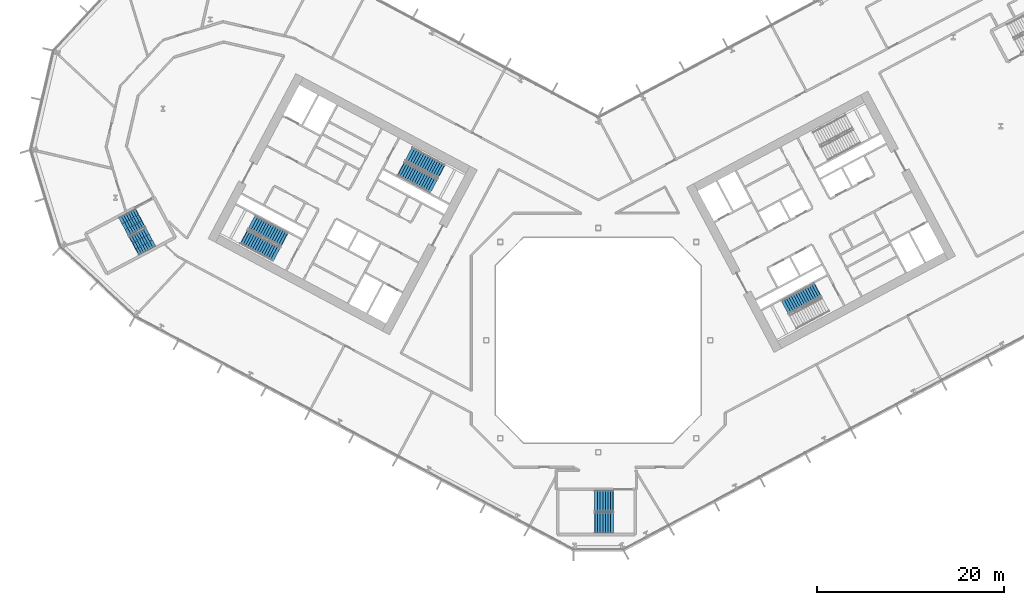
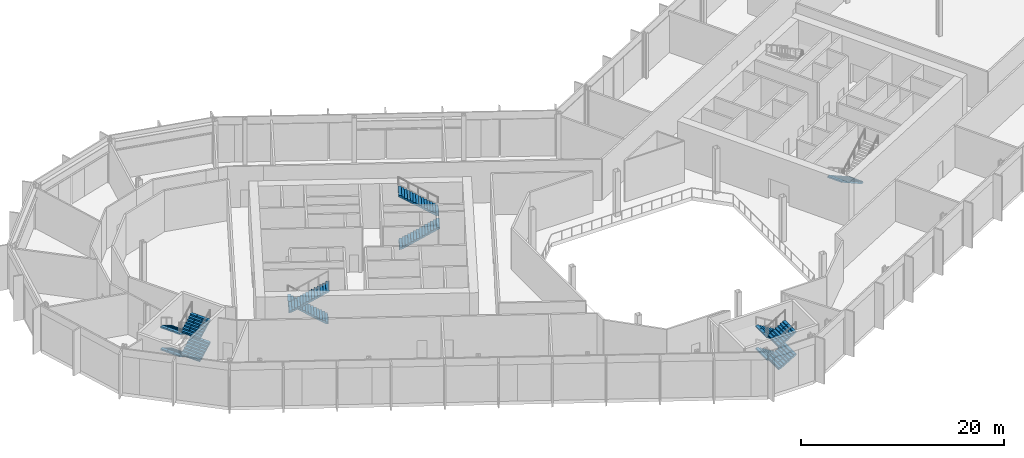
# One storey, part 18 of 32: 13 stair flights, 5 elements without a shape of their own.
"""IFC4 building model written with IfcOpenShell, lengths in metres."""

from ifc_helpers import new_model, si_unit, direction, frame, origin, place, context, subcontext, project, spatial, polyline, outline, extrude, material, type_object, element, aggregate, save


model = new_model("IFC4")

# Units and contexts
model_context = context("Model", 3, precision=1e-05, world=origin(), true_north=direction((0.0, 1.0)))
body_context = subcontext(model_context, "Body", "Model", "MODEL_VIEW")
ifc_project = project(units=[si_unit("LENGTHUNIT", "METRE"), si_unit("AREAUNIT", "SQUARE_METRE"), si_unit("VOLUMEUNIT", "CUBIC_METRE"), si_unit("PLANEANGLEUNIT", "RADIAN"), si_unit("MASSUNIT", "GRAM", prefix="KILO")], contexts=[model_context])

# Site, building, storey
site_placement = place(None, origin())
site = spatial("IfcSite", under=ifc_project, at=site_placement, CompositionType="ELEMENT")
building_placement = place(site_placement, origin())
building = spatial("IfcBuilding", under=site, at=building_placement, Name="Cormorant Relay Tower", CompositionType="ELEMENT")
storey_placement = place(building_placement, frame((0.0, 0.0, 17.60009765625)))
storey = spatial("IfcBuildingStorey", under=building, at=storey_placement, Name="L03", CompositionType="ELEMENT", Elevation=17.60009765625)

# Stair, stair flights
ifc_material_1 = material(Name="Concrete 40 MPa", Category="concrete")
stair_type_1 = type_object("IfcStairType", Name="Exit stair 1500", PredefinedType="HALF_TURN_STAIR", material=ifc_material_1)
stair_1_placement = place(storey_placement, origin())
stair_1 = element("IfcStair", 1, at=stair_1_placement, inside=storey, type_object=stair_type_1, Name="L03 Stair", PredefinedType="HALF_TURN_STAIR")
ifc_material_2 = material(Name="Concrete 40 MPa", Category="concrete")
stair_flight_type_1 = type_object("IfcStairFlightType", Name="Exit stair flight 1650", PredefinedType="STRAIGHT", material=ifc_material_2)
stair_flight_1_placement = place(storey_placement, frame((-21.114501953125, 18.33349609375, 0.0), z_axis=(0.0, 0.0, 1.0), x_axis=(0.882947592859, -0.469471562786, 0.0)))
stair_flight_1 = element("IfcStairFlight", 2, at=stair_flight_1_placement, type_object=stair_flight_type_1, Name="A1 flight 1", NumberOfRisers=15, NumberOfTreads=14, PredefinedType="STRAIGHT", RiserHeight=0.18, TreadLength=0.28, context=body_context, shape_type="SweptSolid", body=[
    extrude(outline(polyline([(-0.050048828125, -0.080078125), (-0.050048828125, 0.0), (0.0, 0.0), (0.0, 0.179931640625), (0.280029296875, 0.179931640625), (0.280029296875, 0.360107421875), (0.56005859375, 0.360107421875), (0.56005859375, 0.5400390625), (0.840087890625, 0.5400390625), (0.840087890625, 0.719970703125), (1.1201171875, 0.719970703125), (1.1201171875, 0.89990234375), (1.39990234375, 0.89990234375), (1.39990234375, 1.080078125), (1.679931640625, 1.080078125), (1.679931640625, 1.260009765625), (1.9599609375, 1.260009765625), (1.9599609375, 1.43994140625), (2.239990234375, 1.43994140625), (2.239990234375, 1.6201171875), (2.52001953125, 1.6201171875), (2.52001953125, 1.800048828125), (2.800048828125, 1.800048828125), (2.800048828125, 1.97998046875), (3.080078125, 1.97998046875), (3.080078125, 2.159912109375), (3.360107421875, 2.159912109375), (3.360107421875, 2.340087890625), (3.639892578125, 2.340087890625), (3.639892578125, 2.52001953125), (3.919921875, 2.52001953125), (3.969970703125, 2.52001953125), (3.969970703125, 2.341796875), (3.919921875, 2.341796875), (0.277099609375, 0.0), (-0.050048828125, -0.080078125)])), frame((0.0, 0.824951171875, 0.0), z_axis=(0.0, -1.0, 0.0), x_axis=(1.0, 0.0, 0.0)), (0.0, 0.0, 1.0), 1.64990234375),
])
stair_flight_2_placement = place(storey_placement, frame((-16.80810546875, 18.08251953125, 2.699951171875), z_axis=(0.0, 0.0, 1.0), x_axis=(-0.882947592859, 0.469471562786, 0.0)))
stair_flight_2 = element("IfcStairFlight", 3, at=stair_flight_2_placement, type_object=stair_flight_type_1, Name="A1 flight 2", NumberOfRisers=15, NumberOfTreads=14, PredefinedType="STRAIGHT", RiserHeight=0.18, TreadLength=0.28, context=body_context, shape_type="SweptSolid", body=[
    extrude(outline(polyline([(-0.050048828125, -0.080078125), (-0.050048828125, 0.0), (0.0, 0.0), (0.0, 0.179931640625), (0.280029296875, 0.179931640625), (0.280029296875, 0.360107421875), (0.56005859375, 0.360107421875), (0.56005859375, 0.5400390625), (0.840087890625, 0.5400390625), (0.840087890625, 0.719970703125), (1.1201171875, 0.719970703125), (1.1201171875, 0.89990234375), (1.39990234375, 0.89990234375), (1.39990234375, 1.080078125), (1.679931640625, 1.080078125), (1.679931640625, 1.260009765625), (1.9599609375, 1.260009765625), (1.9599609375, 1.43994140625), (2.239990234375, 1.43994140625), (2.239990234375, 1.6201171875), (2.52001953125, 1.6201171875), (2.52001953125, 1.800048828125), (2.800048828125, 1.800048828125), (2.800048828125, 1.97998046875), (3.080078125, 1.97998046875), (3.080078125, 2.159912109375), (3.360107421875, 2.159912109375), (3.360107421875, 2.340087890625), (3.639892578125, 2.340087890625), (3.639892578125, 2.52001953125), (3.919921875, 2.52001953125), (3.969970703125, 2.52001953125), (3.969970703125, 2.341796875), (3.919921875, 2.341796875), (0.277099609375, 0.0), (-0.050048828125, -0.080078125)])), frame((0.0, 0.824951171875, 0.0), z_axis=(0.0, -1.0, 0.0), x_axis=(1.0, 0.0, 0.0)), (0.0, 0.0, 1.0), 1.64990234375),
])
aggregate(stair_1, [stair_flight_1, stair_flight_2])

stair_2_placement = place(storey_placement, origin())
stair_2 = element("IfcStair", 4, at=stair_2_placement, inside=storey, type_object=stair_type_1, Name="L03 Stair", PredefinedType="HALF_TURN_STAIR")
stair_flight_3_placement = place(storey_placement, frame((-33.62841796875, 10.773681640625, 0.0), z_axis=(0.0, 0.0, 1.0), x_axis=(-0.882947592859, 0.469471562786, 0.0)))
stair_flight_3 = element("IfcStairFlight", 5, at=stair_flight_3_placement, type_object=stair_flight_type_1, Name="A2 flight 1", NumberOfRisers=15, NumberOfTreads=14, PredefinedType="STRAIGHT", RiserHeight=0.18, TreadLength=0.28, context=body_context, shape_type="SweptSolid", body=[
    extrude(outline(polyline([(-0.050048828125, -0.080078125), (-0.050048828125, 0.0), (0.0, 0.0), (0.0, 0.179931640625), (0.280029296875, 0.179931640625), (0.280029296875, 0.360107421875), (0.56005859375, 0.360107421875), (0.56005859375, 0.5400390625), (0.840087890625, 0.5400390625), (0.840087890625, 0.719970703125), (1.1201171875, 0.719970703125), (1.1201171875, 0.89990234375), (1.39990234375, 0.89990234375), (1.39990234375, 1.080078125), (1.679931640625, 1.080078125), (1.679931640625, 1.260009765625), (1.9599609375, 1.260009765625), (1.9599609375, 1.43994140625), (2.239990234375, 1.43994140625), (2.239990234375, 1.6201171875), (2.52001953125, 1.6201171875), (2.52001953125, 1.800048828125), (2.800048828125, 1.800048828125), (2.800048828125, 1.97998046875), (3.080078125, 1.97998046875), (3.080078125, 2.159912109375), (3.360107421875, 2.159912109375), (3.360107421875, 2.340087890625), (3.639892578125, 2.340087890625), (3.639892578125, 2.52001953125), (3.919921875, 2.52001953125), (3.969970703125, 2.52001953125), (3.969970703125, 2.341796875), (3.919921875, 2.341796875), (0.277099609375, 0.0), (-0.050048828125, -0.080078125)])), frame((0.0, 0.824951171875, 0.0), z_axis=(0.0, -1.0, 0.0), x_axis=(1.0, 0.0, 0.0)), (0.0, 0.0, 1.0), 1.64990234375),
])
stair_flight_4_placement = place(storey_placement, frame((-37.9345703125, 11.024658203125, 2.699951171875), z_axis=(0.0, 0.0, 1.0), x_axis=(0.882947592859, -0.469471562786, 0.0)))
stair_flight_4 = element("IfcStairFlight", 6, at=stair_flight_4_placement, type_object=stair_flight_type_1, Name="A2 flight 2", NumberOfRisers=15, NumberOfTreads=14, PredefinedType="STRAIGHT", RiserHeight=0.18, TreadLength=0.28, context=body_context, shape_type="SweptSolid", body=[
    extrude(outline(polyline([(-0.050048828125, -0.080078125), (-0.050048828125, 0.0), (0.0, 0.0), (0.0, 0.179931640625), (0.280029296875, 0.179931640625), (0.280029296875, 0.360107421875), (0.56005859375, 0.360107421875), (0.56005859375, 0.5400390625), (0.840087890625, 0.5400390625), (0.840087890625, 0.719970703125), (1.1201171875, 0.719970703125), (1.1201171875, 0.89990234375), (1.39990234375, 0.89990234375), (1.39990234375, 1.080078125), (1.679931640625, 1.080078125), (1.679931640625, 1.260009765625), (1.9599609375, 1.260009765625), (1.9599609375, 1.43994140625), (2.239990234375, 1.43994140625), (2.239990234375, 1.6201171875), (2.52001953125, 1.6201171875), (2.52001953125, 1.800048828125), (2.800048828125, 1.800048828125), (2.800048828125, 1.97998046875), (3.080078125, 1.97998046875), (3.080078125, 2.159912109375), (3.360107421875, 2.159912109375), (3.360107421875, 2.340087890625), (3.639892578125, 2.340087890625), (3.639892578125, 2.52001953125), (3.919921875, 2.52001953125), (3.969970703125, 2.52001953125), (3.969970703125, 2.341796875), (3.919921875, 2.341796875), (0.277099609375, 0.0), (-0.050048828125, -0.080078125)])), frame((0.0, 0.824951171875, 0.0), z_axis=(0.0, -1.0, 0.0), x_axis=(1.0, 0.0, 0.0)), (0.0, 0.0, 1.0), 1.64990234375),
])
aggregate(stair_2, [stair_flight_3, stair_flight_4])

# Stair, stair flight
stair_3_placement = place(storey_placement, origin())
stair_3 = element("IfcStair", 7, at=stair_3_placement, inside=storey, type_object=stair_type_1, Name="L03 Stair", PredefinedType="HALF_TURN_STAIR")
stair_flight_5_placement = place(storey_placement, frame((23.474365234375, 5.374755859375, 0.0), z_axis=(0.0, 0.0, 1.0), x_axis=(-0.882947592859, -0.469471562786, 0.0)))
stair_flight_5 = element("IfcStairFlight", 8, at=stair_flight_5_placement, type_object=stair_flight_type_1, Name="B1 flight 1", NumberOfRisers=15, NumberOfTreads=14, PredefinedType="STRAIGHT", RiserHeight=0.18, TreadLength=0.28, context=body_context, shape_type="SweptSolid", body=[
    extrude(outline(polyline([(-0.050048828125, -0.080078125), (-0.050048828125, 0.0), (0.0, 0.0), (0.0, 0.179931640625), (0.280029296875, 0.179931640625), (0.280029296875, 0.360107421875), (0.56005859375, 0.360107421875), (0.56005859375, 0.5400390625), (0.840087890625, 0.5400390625), (0.840087890625, 0.719970703125), (1.1201171875, 0.719970703125), (1.1201171875, 0.89990234375), (1.39990234375, 0.89990234375), (1.39990234375, 1.080078125), (1.679931640625, 1.080078125), (1.679931640625, 1.260009765625), (1.9599609375, 1.260009765625), (1.9599609375, 1.43994140625), (2.239990234375, 1.43994140625), (2.239990234375, 1.6201171875), (2.52001953125, 1.6201171875), (2.52001953125, 1.800048828125), (2.800048828125, 1.800048828125), (2.800048828125, 1.97998046875), (3.080078125, 1.97998046875), (3.080078125, 2.159912109375), (3.360107421875, 2.159912109375), (3.360107421875, 2.340087890625), (3.639892578125, 2.340087890625), (3.639892578125, 2.52001953125), (3.919921875, 2.52001953125), (3.969970703125, 2.52001953125), (3.969970703125, 2.341796875), (3.919921875, 2.341796875), (0.277099609375, 0.0), (-0.050048828125, -0.080078125)])), frame((0.0, 0.824951171875, 0.0), z_axis=(0.0, -1.0, 0.0), x_axis=(1.0, 0.0, 0.0)), (0.0, 0.0, 1.0), 1.64990234375),
])
aggregate(stair_3, [stair_flight_5])

# Stair, stair flights
ifc_material_3 = material(Name="Concrete 40 MPa", Category="concrete")
stair_type_2 = type_object("IfcStairType", Name="Remote exit stair 2200", PredefinedType="HALF_TURN_STAIR", material=ifc_material_3)
stair_4_placement = place(storey_placement, origin())
stair_4 = element("IfcStair", 9, at=stair_4_placement, inside=storey, type_object=stair_type_2, Name="L03 Stair", PredefinedType="HALF_TURN_STAIR")
ifc_material_4 = material(Name="Concrete 40 MPa", Category="concrete")
stair_flight_type_2 = type_object("IfcStairFlightType", Name="Remote exit stair flight 2200", PredefinedType="STRAIGHT", material=ifc_material_4)
stair_flight_6_placement = place(storey_placement, frame((1.60009765625, -17.22509765625, 0.0), z_axis=(0.0, 0.0, 1.0), x_axis=(-1.0, 0.0, 0.0)))
stair_flight_6 = element("IfcStairFlight", 10, at=stair_flight_6_placement, type_object=stair_flight_type_2, Name="RK1 flight 1", NumberOfRisers=8, NumberOfTreads=7, PredefinedType="STRAIGHT", RiserHeight=0.16875, TreadLength=0.28, context=body_context, shape_type="SweptSolid", body=[
    extrude(outline(polyline([(-0.050048828125, -0.080078125), (-0.050048828125, 0.0), (0.0, 0.0), (0.0, 0.168701171875), (0.280029296875, 0.168701171875), (0.280029296875, 0.33740234375), (0.56005859375, 0.33740234375), (0.56005859375, 0.50634765625), (0.840087890625, 0.50634765625), (0.840087890625, 0.675048828125), (1.1201171875, 0.675048828125), (1.1201171875, 0.84375), (1.39990234375, 0.84375), (1.39990234375, 1.012451171875), (1.679931640625, 1.012451171875), (1.679931640625, 1.18115234375), (1.9599609375, 1.18115234375), (2.010009765625, 1.18115234375), (2.010009765625, 1.00634765625), (1.9599609375, 1.00634765625), (0.29052734375, 0.0), (-0.050048828125, -0.080078125)])), frame((0.0, 1.10009765625, 0.0), z_axis=(0.0, -1.0, 0.0), x_axis=(1.0, 0.0, 0.0)), (0.0, 0.0, 1.0), 0.719970703125),
    extrude(outline(polyline([(-0.050048828125, -0.080078125), (-0.050048828125, 0.0), (0.0, 0.0), (0.0, 0.168701171875), (0.280029296875, 0.168701171875), (0.280029296875, 0.33740234375), (0.56005859375, 0.33740234375), (0.56005859375, 0.50634765625), (0.840087890625, 0.50634765625), (0.840087890625, 0.675048828125), (1.1201171875, 0.675048828125), (1.1201171875, 0.84375), (1.39990234375, 0.84375), (1.39990234375, 1.012451171875), (1.679931640625, 1.012451171875), (1.679931640625, 1.18115234375), (1.9599609375, 1.18115234375), (2.010009765625, 1.18115234375), (2.010009765625, 1.00634765625), (1.9599609375, 1.00634765625), (0.29052734375, 0.0), (-0.050048828125, -0.080078125)])), frame((0.0, 0.360107421875, 0.0), z_axis=(0.0, -1.0, 0.0), x_axis=(1.0, 0.0, 0.0)), (0.0, 0.0, 1.0), 0.719970703125),
    extrude(outline(polyline([(-0.050048828125, -0.080078125), (-0.050048828125, 0.0), (0.0, 0.0), (0.0, 0.168701171875), (0.280029296875, 0.168701171875), (0.280029296875, 0.33740234375), (0.56005859375, 0.33740234375), (0.56005859375, 0.50634765625), (0.840087890625, 0.50634765625), (0.840087890625, 0.675048828125), (1.1201171875, 0.675048828125), (1.1201171875, 0.84375), (1.39990234375, 0.84375), (1.39990234375, 1.012451171875), (1.679931640625, 1.012451171875), (1.679931640625, 1.18115234375), (1.9599609375, 1.18115234375), (2.010009765625, 1.18115234375), (2.010009765625, 1.00634765625), (1.9599609375, 1.00634765625), (0.29052734375, 0.0), (-0.050048828125, -0.080078125)])), frame((0.0, -0.3798828125, 0.0), z_axis=(0.0, -1.0, 0.0), x_axis=(1.0, 0.0, 0.0)), (0.0, 0.0, 1.0), 0.719970703125),
])
stair_flight_7_placement = place(storey_placement, frame((-0.360107421875, -19.574951171875, 1.349853515625), z_axis=(0.0, 0.0, 1.0), x_axis=(1.0, 0.0, 0.0)))
stair_flight_7 = element("IfcStairFlight", 11, at=stair_flight_7_placement, type_object=stair_flight_type_2, Name="RK1 flight 2", NumberOfRisers=8, NumberOfTreads=7, PredefinedType="STRAIGHT", RiserHeight=0.16875, TreadLength=0.28, context=body_context, shape_type="SweptSolid", body=[
    extrude(outline(polyline([(-0.050048828125, -0.080078125), (-0.050048828125, 0.0), (0.0, 0.0), (0.0, 0.168701171875), (0.280029296875, 0.168701171875), (0.280029296875, 0.33740234375), (0.56005859375, 0.33740234375), (0.56005859375, 0.50634765625), (0.840087890625, 0.50634765625), (0.840087890625, 0.675048828125), (1.1201171875, 0.675048828125), (1.1201171875, 0.84375), (1.39990234375, 0.84375), (1.39990234375, 1.012451171875), (1.679931640625, 1.012451171875), (1.679931640625, 1.18115234375), (1.9599609375, 1.18115234375), (2.010009765625, 1.18115234375), (2.010009765625, 1.00634765625), (1.9599609375, 1.00634765625), (0.29052734375, 0.0), (-0.050048828125, -0.080078125)])), frame((0.0, 1.10009765625, 0.0), z_axis=(0.0, -1.0, 0.0), x_axis=(1.0, 0.0, 0.0)), (0.0, 0.0, 1.0), 0.719970703125),
    extrude(outline(polyline([(-0.050048828125, -0.080078125), (-0.050048828125, 0.0), (0.0, 0.0), (0.0, 0.168701171875), (0.280029296875, 0.168701171875), (0.280029296875, 0.33740234375), (0.56005859375, 0.33740234375), (0.56005859375, 0.50634765625), (0.840087890625, 0.50634765625), (0.840087890625, 0.675048828125), (1.1201171875, 0.675048828125), (1.1201171875, 0.84375), (1.39990234375, 0.84375), (1.39990234375, 1.012451171875), (1.679931640625, 1.012451171875), (1.679931640625, 1.18115234375), (1.9599609375, 1.18115234375), (2.010009765625, 1.18115234375), (2.010009765625, 1.00634765625), (1.9599609375, 1.00634765625), (0.29052734375, 0.0), (-0.050048828125, -0.080078125)])), frame((0.0, 0.360107421875, 0.0), z_axis=(0.0, -1.0, 0.0), x_axis=(1.0, 0.0, 0.0)), (0.0, 0.0, 1.0), 0.719970703125),
    extrude(outline(polyline([(-0.050048828125, -0.080078125), (-0.050048828125, 0.0), (0.0, 0.0), (0.0, 0.168701171875), (0.280029296875, 0.168701171875), (0.280029296875, 0.33740234375), (0.56005859375, 0.33740234375), (0.56005859375, 0.50634765625), (0.840087890625, 0.50634765625), (0.840087890625, 0.675048828125), (1.1201171875, 0.675048828125), (1.1201171875, 0.84375), (1.39990234375, 0.84375), (1.39990234375, 1.012451171875), (1.679931640625, 1.012451171875), (1.679931640625, 1.18115234375), (1.9599609375, 1.18115234375), (2.010009765625, 1.18115234375), (2.010009765625, 1.00634765625), (1.9599609375, 1.00634765625), (0.29052734375, 0.0), (-0.050048828125, -0.080078125)])), frame((0.0, -0.3798828125, 0.0), z_axis=(0.0, -1.0, 0.0), x_axis=(1.0, 0.0, 0.0)), (0.0, 0.0, 1.0), 0.719970703125),
])
stair_flight_8_placement = place(storey_placement, frame((1.60009765625, -17.22509765625, 2.699951171875), z_axis=(0.0, 0.0, 1.0), x_axis=(-1.0, 0.0, 0.0)))
stair_flight_8 = element("IfcStairFlight", 12, at=stair_flight_8_placement, type_object=stair_flight_type_2, Name="RK1 flight 3", NumberOfRisers=8, NumberOfTreads=7, PredefinedType="STRAIGHT", RiserHeight=0.16875, TreadLength=0.28, context=body_context, shape_type="SweptSolid", body=[
    extrude(outline(polyline([(-0.050048828125, -0.080078125), (-0.050048828125, 0.0), (0.0, 0.0), (0.0, 0.168701171875), (0.280029296875, 0.168701171875), (0.280029296875, 0.33740234375), (0.56005859375, 0.33740234375), (0.56005859375, 0.50634765625), (0.840087890625, 0.50634765625), (0.840087890625, 0.675048828125), (1.1201171875, 0.675048828125), (1.1201171875, 0.84375), (1.39990234375, 0.84375), (1.39990234375, 1.012451171875), (1.679931640625, 1.012451171875), (1.679931640625, 1.18115234375), (1.9599609375, 1.18115234375), (2.010009765625, 1.18115234375), (2.010009765625, 1.00634765625), (1.9599609375, 1.00634765625), (0.29052734375, 0.0), (-0.050048828125, -0.080078125)])), frame((0.0, 1.10009765625, 0.0), z_axis=(0.0, -1.0, 0.0), x_axis=(1.0, 0.0, 0.0)), (0.0, 0.0, 1.0), 0.719970703125),
    extrude(outline(polyline([(-0.050048828125, -0.080078125), (-0.050048828125, 0.0), (0.0, 0.0), (0.0, 0.168701171875), (0.280029296875, 0.168701171875), (0.280029296875, 0.33740234375), (0.56005859375, 0.33740234375), (0.56005859375, 0.50634765625), (0.840087890625, 0.50634765625), (0.840087890625, 0.675048828125), (1.1201171875, 0.675048828125), (1.1201171875, 0.84375), (1.39990234375, 0.84375), (1.39990234375, 1.012451171875), (1.679931640625, 1.012451171875), (1.679931640625, 1.18115234375), (1.9599609375, 1.18115234375), (2.010009765625, 1.18115234375), (2.010009765625, 1.00634765625), (1.9599609375, 1.00634765625), (0.29052734375, 0.0), (-0.050048828125, -0.080078125)])), frame((0.0, 0.360107421875, 0.0), z_axis=(0.0, -1.0, 0.0), x_axis=(1.0, 0.0, 0.0)), (0.0, 0.0, 1.0), 0.719970703125),
    extrude(outline(polyline([(-0.050048828125, -0.080078125), (-0.050048828125, 0.0), (0.0, 0.0), (0.0, 0.168701171875), (0.280029296875, 0.168701171875), (0.280029296875, 0.33740234375), (0.56005859375, 0.33740234375), (0.56005859375, 0.50634765625), (0.840087890625, 0.50634765625), (0.840087890625, 0.675048828125), (1.1201171875, 0.675048828125), (1.1201171875, 0.84375), (1.39990234375, 0.84375), (1.39990234375, 1.012451171875), (1.679931640625, 1.012451171875), (1.679931640625, 1.18115234375), (1.9599609375, 1.18115234375), (2.010009765625, 1.18115234375), (2.010009765625, 1.00634765625), (1.9599609375, 1.00634765625), (0.29052734375, 0.0), (-0.050048828125, -0.080078125)])), frame((0.0, -0.3798828125, 0.0), z_axis=(0.0, -1.0, 0.0), x_axis=(1.0, 0.0, 0.0)), (0.0, 0.0, 1.0), 0.719970703125),
])
stair_flight_9_placement = place(storey_placement, frame((-0.360107421875, -19.574951171875, 4.0498046875), z_axis=(0.0, 0.0, 1.0), x_axis=(1.0, 0.0, 0.0)))
stair_flight_9 = element("IfcStairFlight", 13, at=stair_flight_9_placement, type_object=stair_flight_type_2, Name="RK1 flight 4", NumberOfRisers=8, NumberOfTreads=7, PredefinedType="STRAIGHT", RiserHeight=0.16875, TreadLength=0.28, context=body_context, shape_type="SweptSolid", body=[
    extrude(outline(polyline([(-0.050048828125, -0.080078125), (-0.050048828125, 0.0), (0.0, 0.0), (0.0, 0.168701171875), (0.280029296875, 0.168701171875), (0.280029296875, 0.33740234375), (0.56005859375, 0.33740234375), (0.56005859375, 0.50634765625), (0.840087890625, 0.50634765625), (0.840087890625, 0.675048828125), (1.1201171875, 0.675048828125), (1.1201171875, 0.84375), (1.39990234375, 0.84375), (1.39990234375, 1.012451171875), (1.679931640625, 1.012451171875), (1.679931640625, 1.18115234375), (1.9599609375, 1.18115234375), (2.010009765625, 1.18115234375), (2.010009765625, 1.00634765625), (1.9599609375, 1.00634765625), (0.29052734375, 0.0), (-0.050048828125, -0.080078125)])), frame((0.0, 1.10009765625, 0.0), z_axis=(0.0, -1.0, 0.0), x_axis=(1.0, 0.0, 0.0)), (0.0, 0.0, 1.0), 0.719970703125),
    extrude(outline(polyline([(-0.050048828125, -0.080078125), (-0.050048828125, 0.0), (0.0, 0.0), (0.0, 0.168701171875), (0.280029296875, 0.168701171875), (0.280029296875, 0.33740234375), (0.56005859375, 0.33740234375), (0.56005859375, 0.50634765625), (0.840087890625, 0.50634765625), (0.840087890625, 0.675048828125), (1.1201171875, 0.675048828125), (1.1201171875, 0.84375), (1.39990234375, 0.84375), (1.39990234375, 1.012451171875), (1.679931640625, 1.012451171875), (1.679931640625, 1.18115234375), (1.9599609375, 1.18115234375), (2.010009765625, 1.18115234375), (2.010009765625, 1.00634765625), (1.9599609375, 1.00634765625), (0.29052734375, 0.0), (-0.050048828125, -0.080078125)])), frame((0.0, 0.360107421875, 0.0), z_axis=(0.0, -1.0, 0.0), x_axis=(1.0, 0.0, 0.0)), (0.0, 0.0, 1.0), 0.719970703125),
    extrude(outline(polyline([(-0.050048828125, -0.080078125), (-0.050048828125, 0.0), (0.0, 0.0), (0.0, 0.168701171875), (0.280029296875, 0.168701171875), (0.280029296875, 0.33740234375), (0.56005859375, 0.33740234375), (0.56005859375, 0.50634765625), (0.840087890625, 0.50634765625), (0.840087890625, 0.675048828125), (1.1201171875, 0.675048828125), (1.1201171875, 0.84375), (1.39990234375, 0.84375), (1.39990234375, 1.012451171875), (1.679931640625, 1.012451171875), (1.679931640625, 1.18115234375), (1.9599609375, 1.18115234375), (2.010009765625, 1.18115234375), (2.010009765625, 1.00634765625), (1.9599609375, 1.00634765625), (0.29052734375, 0.0), (-0.050048828125, -0.080078125)])), frame((0.0, -0.3798828125, 0.0), z_axis=(0.0, -1.0, 0.0), x_axis=(1.0, 0.0, 0.0)), (0.0, 0.0, 1.0), 0.719970703125),
])
aggregate(stair_4, [stair_flight_6, stair_flight_7, stair_flight_8, stair_flight_9])

stair_5_placement = place(storey_placement, origin())
stair_5 = element("IfcStair", 14, at=stair_5_placement, inside=storey, type_object=stair_type_2, Name="L03 Stair", PredefinedType="HALF_TURN_STAIR")
stair_flight_10_placement = place(storey_placement, frame((-49.062255859375, 13.08251953125, 0.0), z_axis=(0.0, 0.0, 1.0), x_axis=(-0.882947502727, -0.4694717323, 0.0)))
stair_flight_10 = element("IfcStairFlight", 15, at=stair_flight_10_placement, type_object=stair_flight_type_2, Name="RP1 flight 1", NumberOfRisers=8, NumberOfTreads=7, PredefinedType="STRAIGHT", RiserHeight=0.16875, TreadLength=0.28, context=body_context, shape_type="SweptSolid", body=[
    extrude(outline(polyline([(-0.050048828125, -0.080078125), (-0.050048828125, 0.0), (0.0, 0.0), (0.0, 0.168701171875), (0.280029296875, 0.168701171875), (0.280029296875, 0.33740234375), (0.56005859375, 0.33740234375), (0.56005859375, 0.50634765625), (0.840087890625, 0.50634765625), (0.840087890625, 0.675048828125), (1.1201171875, 0.675048828125), (1.1201171875, 0.84375), (1.39990234375, 0.84375), (1.39990234375, 1.012451171875), (1.679931640625, 1.012451171875), (1.679931640625, 1.18115234375), (1.9599609375, 1.18115234375), (2.010009765625, 1.18115234375), (2.010009765625, 1.00634765625), (1.9599609375, 1.00634765625), (0.29052734375, 0.0), (-0.050048828125, -0.080078125)])), frame((0.0, 1.10009765625, 0.0), z_axis=(0.0, -1.0, 0.0), x_axis=(1.0, 0.0, 0.0)), (0.0, 0.0, 1.0), 0.719970703125),
    extrude(outline(polyline([(-0.050048828125, -0.080078125), (-0.050048828125, 0.0), (0.0, 0.0), (0.0, 0.168701171875), (0.280029296875, 0.168701171875), (0.280029296875, 0.33740234375), (0.56005859375, 0.33740234375), (0.56005859375, 0.50634765625), (0.840087890625, 0.50634765625), (0.840087890625, 0.675048828125), (1.1201171875, 0.675048828125), (1.1201171875, 0.84375), (1.39990234375, 0.84375), (1.39990234375, 1.012451171875), (1.679931640625, 1.012451171875), (1.679931640625, 1.18115234375), (1.9599609375, 1.18115234375), (2.010009765625, 1.18115234375), (2.010009765625, 1.00634765625), (1.9599609375, 1.00634765625), (0.29052734375, 0.0), (-0.050048828125, -0.080078125)])), frame((0.0, 0.360107421875, 0.0), z_axis=(0.0, -1.0, 0.0), x_axis=(1.0, 0.0, 0.0)), (0.0, 0.0, 1.0), 0.719970703125),
    extrude(outline(polyline([(-0.050048828125, -0.080078125), (-0.050048828125, 0.0), (0.0, 0.0), (0.0, 0.168701171875), (0.280029296875, 0.168701171875), (0.280029296875, 0.33740234375), (0.56005859375, 0.33740234375), (0.56005859375, 0.50634765625), (0.840087890625, 0.50634765625), (0.840087890625, 0.675048828125), (1.1201171875, 0.675048828125), (1.1201171875, 0.84375), (1.39990234375, 0.84375), (1.39990234375, 1.012451171875), (1.679931640625, 1.012451171875), (1.679931640625, 1.18115234375), (1.9599609375, 1.18115234375), (2.010009765625, 1.18115234375), (2.010009765625, 1.00634765625), (1.9599609375, 1.00634765625), (0.29052734375, 0.0), (-0.050048828125, -0.080078125)])), frame((0.0, -0.3798828125, 0.0), z_axis=(0.0, -1.0, 0.0), x_axis=(1.0, 0.0, 0.0)), (0.0, 0.0, 1.0), 0.719970703125),
])
stair_flight_11_placement = place(storey_placement, frame((-49.689697265625, 10.08740234375, 1.349853515625), z_axis=(0.0, 0.0, 1.0), x_axis=(0.882947502727, 0.4694717323, 0.0)))
stair_flight_11 = element("IfcStairFlight", 16, at=stair_flight_11_placement, type_object=stair_flight_type_2, Name="RP1 flight 2", NumberOfRisers=8, NumberOfTreads=7, PredefinedType="STRAIGHT", RiserHeight=0.16875, TreadLength=0.28, context=body_context, shape_type="SweptSolid", body=[
    extrude(outline(polyline([(-0.050048828125, -0.080078125), (-0.050048828125, 0.0), (0.0, 0.0), (0.0, 0.168701171875), (0.280029296875, 0.168701171875), (0.280029296875, 0.33740234375), (0.56005859375, 0.33740234375), (0.56005859375, 0.50634765625), (0.840087890625, 0.50634765625), (0.840087890625, 0.675048828125), (1.1201171875, 0.675048828125), (1.1201171875, 0.84375), (1.39990234375, 0.84375), (1.39990234375, 1.012451171875), (1.679931640625, 1.012451171875), (1.679931640625, 1.18115234375), (1.9599609375, 1.18115234375), (2.010009765625, 1.18115234375), (2.010009765625, 1.00634765625), (1.9599609375, 1.00634765625), (0.29052734375, 0.0), (-0.050048828125, -0.080078125)])), frame((0.0, 1.10009765625, 0.0), z_axis=(0.0, -1.0, 0.0), x_axis=(1.0, 0.0, 0.0)), (0.0, 0.0, 1.0), 0.719970703125),
    extrude(outline(polyline([(-0.050048828125, -0.080078125), (-0.050048828125, 0.0), (0.0, 0.0), (0.0, 0.168701171875), (0.280029296875, 0.168701171875), (0.280029296875, 0.33740234375), (0.56005859375, 0.33740234375), (0.56005859375, 0.50634765625), (0.840087890625, 0.50634765625), (0.840087890625, 0.675048828125), (1.1201171875, 0.675048828125), (1.1201171875, 0.84375), (1.39990234375, 0.84375), (1.39990234375, 1.012451171875), (1.679931640625, 1.012451171875), (1.679931640625, 1.18115234375), (1.9599609375, 1.18115234375), (2.010009765625, 1.18115234375), (2.010009765625, 1.00634765625), (1.9599609375, 1.00634765625), (0.29052734375, 0.0), (-0.050048828125, -0.080078125)])), frame((0.0, 0.360107421875, 0.0), z_axis=(0.0, -1.0, 0.0), x_axis=(1.0, 0.0, 0.0)), (0.0, 0.0, 1.0), 0.719970703125),
    extrude(outline(polyline([(-0.050048828125, -0.080078125), (-0.050048828125, 0.0), (0.0, 0.0), (0.0, 0.168701171875), (0.280029296875, 0.168701171875), (0.280029296875, 0.33740234375), (0.56005859375, 0.33740234375), (0.56005859375, 0.50634765625), (0.840087890625, 0.50634765625), (0.840087890625, 0.675048828125), (1.1201171875, 0.675048828125), (1.1201171875, 0.84375), (1.39990234375, 0.84375), (1.39990234375, 1.012451171875), (1.679931640625, 1.012451171875), (1.679931640625, 1.18115234375), (1.9599609375, 1.18115234375), (2.010009765625, 1.18115234375), (2.010009765625, 1.00634765625), (1.9599609375, 1.00634765625), (0.29052734375, 0.0), (-0.050048828125, -0.080078125)])), frame((0.0, -0.3798828125, 0.0), z_axis=(0.0, -1.0, 0.0), x_axis=(1.0, 0.0, 0.0)), (0.0, 0.0, 1.0), 0.719970703125),
])
stair_flight_12_placement = place(storey_placement, frame((-49.062255859375, 13.08251953125, 2.699951171875), z_axis=(0.0, 0.0, 1.0), x_axis=(-0.882947502727, -0.4694717323, 0.0)))
stair_flight_12 = element("IfcStairFlight", 17, at=stair_flight_12_placement, type_object=stair_flight_type_2, Name="RP1 flight 3", NumberOfRisers=8, NumberOfTreads=7, PredefinedType="STRAIGHT", RiserHeight=0.16875, TreadLength=0.28, context=body_context, shape_type="SweptSolid", body=[
    extrude(outline(polyline([(-0.050048828125, -0.080078125), (-0.050048828125, 0.0), (0.0, 0.0), (0.0, 0.168701171875), (0.280029296875, 0.168701171875), (0.280029296875, 0.33740234375), (0.56005859375, 0.33740234375), (0.56005859375, 0.50634765625), (0.840087890625, 0.50634765625), (0.840087890625, 0.675048828125), (1.1201171875, 0.675048828125), (1.1201171875, 0.84375), (1.39990234375, 0.84375), (1.39990234375, 1.012451171875), (1.679931640625, 1.012451171875), (1.679931640625, 1.18115234375), (1.9599609375, 1.18115234375), (2.010009765625, 1.18115234375), (2.010009765625, 1.00634765625), (1.9599609375, 1.00634765625), (0.29052734375, 0.0), (-0.050048828125, -0.080078125)])), frame((0.0, 1.10009765625, 0.0), z_axis=(0.0, -1.0, 0.0), x_axis=(1.0, 0.0, 0.0)), (0.0, 0.0, 1.0), 0.719970703125),
    extrude(outline(polyline([(-0.050048828125, -0.080078125), (-0.050048828125, 0.0), (0.0, 0.0), (0.0, 0.168701171875), (0.280029296875, 0.168701171875), (0.280029296875, 0.33740234375), (0.56005859375, 0.33740234375), (0.56005859375, 0.50634765625), (0.840087890625, 0.50634765625), (0.840087890625, 0.675048828125), (1.1201171875, 0.675048828125), (1.1201171875, 0.84375), (1.39990234375, 0.84375), (1.39990234375, 1.012451171875), (1.679931640625, 1.012451171875), (1.679931640625, 1.18115234375), (1.9599609375, 1.18115234375), (2.010009765625, 1.18115234375), (2.010009765625, 1.00634765625), (1.9599609375, 1.00634765625), (0.29052734375, 0.0), (-0.050048828125, -0.080078125)])), frame((0.0, 0.360107421875, 0.0), z_axis=(0.0, -1.0, 0.0), x_axis=(1.0, 0.0, 0.0)), (0.0, 0.0, 1.0), 0.719970703125),
    extrude(outline(polyline([(-0.050048828125, -0.080078125), (-0.050048828125, 0.0), (0.0, 0.0), (0.0, 0.168701171875), (0.280029296875, 0.168701171875), (0.280029296875, 0.33740234375), (0.56005859375, 0.33740234375), (0.56005859375, 0.50634765625), (0.840087890625, 0.50634765625), (0.840087890625, 0.675048828125), (1.1201171875, 0.675048828125), (1.1201171875, 0.84375), (1.39990234375, 0.84375), (1.39990234375, 1.012451171875), (1.679931640625, 1.012451171875), (1.679931640625, 1.18115234375), (1.9599609375, 1.18115234375), (2.010009765625, 1.18115234375), (2.010009765625, 1.00634765625), (1.9599609375, 1.00634765625), (0.29052734375, 0.0), (-0.050048828125, -0.080078125)])), frame((0.0, -0.3798828125, 0.0), z_axis=(0.0, -1.0, 0.0), x_axis=(1.0, 0.0, 0.0)), (0.0, 0.0, 1.0), 0.719970703125),
])
stair_flight_13_placement = place(storey_placement, frame((-49.689697265625, 10.08740234375, 4.0498046875), z_axis=(0.0, 0.0, 1.0), x_axis=(0.882947502727, 0.4694717323, 0.0)))
stair_flight_13 = element("IfcStairFlight", 18, at=stair_flight_13_placement, type_object=stair_flight_type_2, Name="RP1 flight 4", NumberOfRisers=8, NumberOfTreads=7, PredefinedType="STRAIGHT", RiserHeight=0.16875, TreadLength=0.28, context=body_context, shape_type="SweptSolid", body=[
    extrude(outline(polyline([(-0.050048828125, -0.080078125), (-0.050048828125, 0.0), (0.0, 0.0), (0.0, 0.168701171875), (0.280029296875, 0.168701171875), (0.280029296875, 0.33740234375), (0.56005859375, 0.33740234375), (0.56005859375, 0.50634765625), (0.840087890625, 0.50634765625), (0.840087890625, 0.675048828125), (1.1201171875, 0.675048828125), (1.1201171875, 0.84375), (1.39990234375, 0.84375), (1.39990234375, 1.012451171875), (1.679931640625, 1.012451171875), (1.679931640625, 1.18115234375), (1.9599609375, 1.18115234375), (2.010009765625, 1.18115234375), (2.010009765625, 1.00634765625), (1.9599609375, 1.00634765625), (0.29052734375, 0.0), (-0.050048828125, -0.080078125)])), frame((0.0, 1.10009765625, 0.0), z_axis=(0.0, -1.0, 0.0), x_axis=(1.0, 0.0, 0.0)), (0.0, 0.0, 1.0), 0.719970703125),
    extrude(outline(polyline([(-0.050048828125, -0.080078125), (-0.050048828125, 0.0), (0.0, 0.0), (0.0, 0.168701171875), (0.280029296875, 0.168701171875), (0.280029296875, 0.33740234375), (0.56005859375, 0.33740234375), (0.56005859375, 0.50634765625), (0.840087890625, 0.50634765625), (0.840087890625, 0.675048828125), (1.1201171875, 0.675048828125), (1.1201171875, 0.84375), (1.39990234375, 0.84375), (1.39990234375, 1.012451171875), (1.679931640625, 1.012451171875), (1.679931640625, 1.18115234375), (1.9599609375, 1.18115234375), (2.010009765625, 1.18115234375), (2.010009765625, 1.00634765625), (1.9599609375, 1.00634765625), (0.29052734375, 0.0), (-0.050048828125, -0.080078125)])), frame((0.0, 0.360107421875, 0.0), z_axis=(0.0, -1.0, 0.0), x_axis=(1.0, 0.0, 0.0)), (0.0, 0.0, 1.0), 0.719970703125),
    extrude(outline(polyline([(-0.050048828125, -0.080078125), (-0.050048828125, 0.0), (0.0, 0.0), (0.0, 0.168701171875), (0.280029296875, 0.168701171875), (0.280029296875, 0.33740234375), (0.56005859375, 0.33740234375), (0.56005859375, 0.50634765625), (0.840087890625, 0.50634765625), (0.840087890625, 0.675048828125), (1.1201171875, 0.675048828125), (1.1201171875, 0.84375), (1.39990234375, 0.84375), (1.39990234375, 1.012451171875), (1.679931640625, 1.012451171875), (1.679931640625, 1.18115234375), (1.9599609375, 1.18115234375), (2.010009765625, 1.18115234375), (2.010009765625, 1.00634765625), (1.9599609375, 1.00634765625), (0.29052734375, 0.0), (-0.050048828125, -0.080078125)])), frame((0.0, -0.3798828125, 0.0), z_axis=(0.0, -1.0, 0.0), x_axis=(1.0, 0.0, 0.0)), (0.0, 0.0, 1.0), 0.719970703125),
])
aggregate(stair_5, [stair_flight_10, stair_flight_11, stair_flight_12, stair_flight_13])

save(model, "model.ifc")
